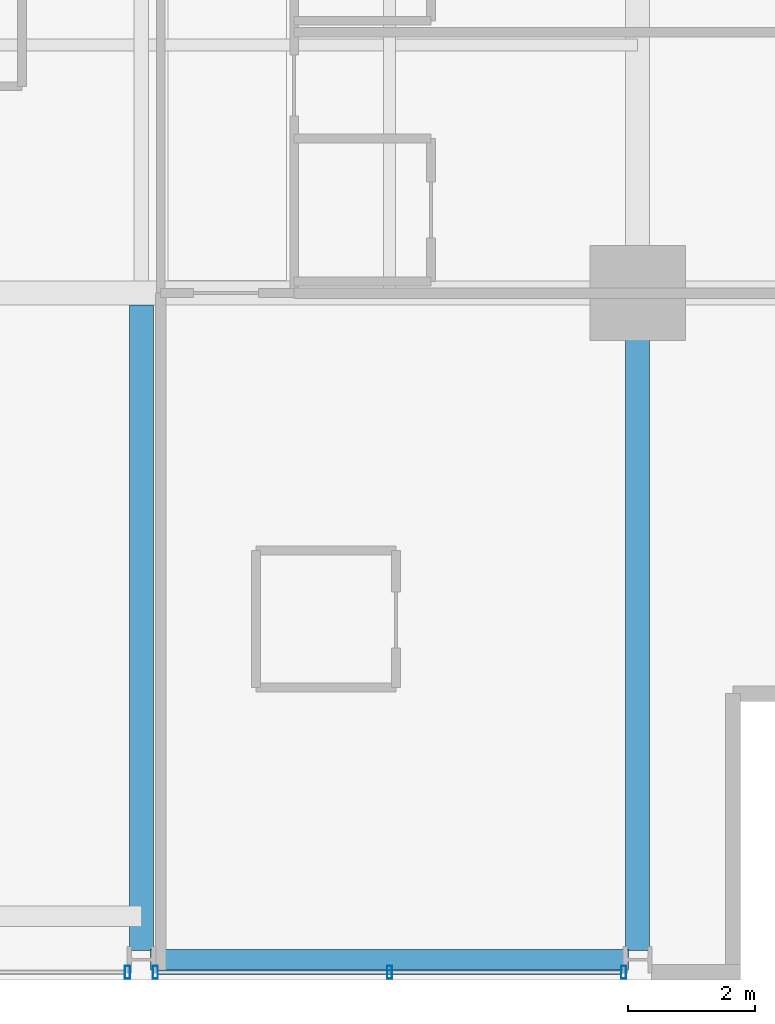
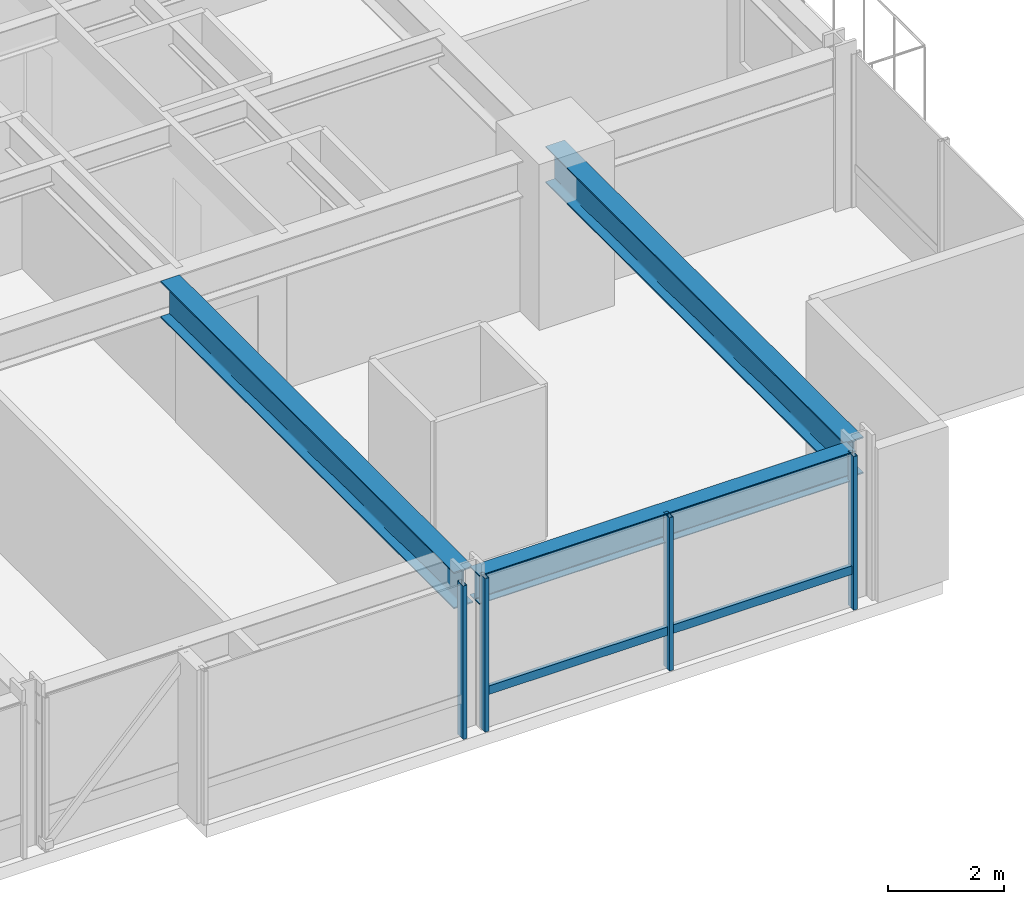
# One storey, part 11 of 35: 5 members, 3 beams, 2 elements without a shape of their own.
"""IFC4 building model written with IfcOpenShell, lengths in metres."""

from ifc_helpers import new_model, si_unit, direction, frame, origin, origin_2d, place, context, subcontext, project, spatial, hollow_rectangle, i_section, extrude, material, layer, layer_set, material_profile, profile_set, type_object, element, aggregate, save


model = new_model("IFC4")

# Units and contexts
model_context = context("Model", 3, precision=1e-05, world=origin(), true_north=direction((0.0, 1.0)))
body_context = subcontext(model_context, "Body", "Model", "MODEL_VIEW")
ifc_project = project(units=[si_unit("LENGTHUNIT", "METRE"), si_unit("AREAUNIT", "SQUARE_METRE"), si_unit("VOLUMEUNIT", "CUBIC_METRE"), si_unit("PLANEANGLEUNIT", "RADIAN"), si_unit("MASSUNIT", "GRAM", prefix="KILO")], contexts=[model_context])

# Site, building, storey
site_placement = place(None, origin())
site = spatial("IfcSite", under=ifc_project, at=site_placement, CompositionType="ELEMENT")
building_placement = place(site_placement, origin())
building = spatial("IfcBuilding", under=site, at=building_placement, Name="Drelvath Grand Hotel", CompositionType="ELEMENT")
storey_placement = place(building_placement, frame((0.0, 0.0, 95.300048828125)))
storey = spatial("IfcBuildingStorey", under=building, at=storey_placement, Name="L23", CompositionType="ELEMENT", Elevation=95.300048828125)

# Curtain wall, member
ifc_material_1 = material(Name="Champagne Bronze Anodised Aluminium Frame", Category="aluminium")
ifc_layer = layer(ifc_material_1, 0.199951171875)
ifc_layer_set = layer_set([ifc_layer], Name="Champagne Bronze Anodised Aluminium Frame")
curtain_wall_type = type_object("IfcCurtainWallType", Name="Stick Curtain Wall CW-03 Champagne Bronze Mid-Rise", PredefinedType="NOTDEFINED", material=ifc_layer_set)
curtain_wall_1_placement = place(storey_placement, origin())
curtain_wall_1 = element("IfcCurtainWall", 1, at=curtain_wall_1_placement, inside=storey, type_object=curtain_wall_type, Name="L23 CW-03 Curtain Wall CW03-L23-SE2", PredefinedType="NOTDEFINED")
ifc_material_profile_1 = material_profile(ifc_material_1, hollow_rectangle(XDim=0.074951171875, YDim=0.179931640625, WallThickness=0.0048828125, at=origin_2d()), Name="HSS180X75X5")
ifc_profile_set_1 = profile_set([ifc_material_profile_1], Name="Champagne Bronze Anodised Aluminium Frame")
member_type_1 = type_object("IfcMemberType", Name="Curtain Wall Horizontal Transom CW-03 HSS180X75X5", PredefinedType="USERDEFINED", material=ifc_profile_set_1)
member_1_placement = place(storey_placement, frame((15.9404296875, 0.1201171875, 0.81005859375), z_axis=(-1.0, 0.0, 0.0), x_axis=(0.0, -1.0, 0.0)))
member_1 = element("IfcMember", 2, at=member_1_placement, type_object=member_type_1, Name="CW03-L23-SE2 Sill Transom", ObjectType="TRANSOM", PredefinedType="USERDEFINED", context=body_context, shape_type="SweptSolid", body=[
    extrude(hollow_rectangle(XDim=0.074951171875, YDim=0.179931640625, WallThickness=0.0048828125, at=origin_2d()), origin(), (0.0, 0.0, 1.0), 7.28076171875),
])

curtain_wall_2_placement = place(storey_placement, origin())
curtain_wall_2 = element("IfcCurtainWall", 3, at=curtain_wall_2_placement, inside=storey, type_object=curtain_wall_type, Name="L23 CW-03 Curtain Wall CW03-L23-SE1", PredefinedType="NOTDEFINED")
ifc_material_profile_2 = material_profile(ifc_material_1, hollow_rectangle(XDim=0.080078125, YDim=0.199951171875, WallThickness=0.0048828125, at=origin_2d()), Name="HSS200X80X5")
ifc_profile_set_2 = profile_set([ifc_material_profile_2], Name="Champagne Bronze Anodised Aluminium Frame")
member_type_2 = type_object("IfcMemberType", Name="Curtain Wall Vertical Mullion CW-03 HSS200X80X5", PredefinedType="MULLION", material=ifc_profile_set_2)
member_2_placement = place(storey_placement, frame((8.180419921875, 0.1201171875, 0.0), z_axis=(0.0, 0.0, 1.0), x_axis=(1.0, 0.0, 0.0)))
member_2 = element("IfcMember", 4, at=member_2_placement, type_object=member_type_2, Name="CW03-L23-SE1 Mullion 1", PredefinedType="MULLION", context=body_context, shape_type="SweptSolid", body=[
    extrude(hollow_rectangle(XDim=0.080078125, YDim=0.199951171875, WallThickness=0.0048828125, at=origin_2d()), origin(), (0.0, 0.0, 1.0), 3.239990234375),
])
aggregate(curtain_wall_2, [member_2])

# Member
member_3_placement = place(storey_placement, frame((15.98046875, 0.1201171875, 0.0), z_axis=(0.0, 0.0, 1.0), x_axis=(1.0, 0.0, 0.0)))
member_3 = element("IfcMember", 5, at=member_3_placement, type_object=member_type_2, Name="CW03-L23-SE2 Mullion 1", PredefinedType="MULLION", context=body_context, shape_type="SweptSolid", body=[
    extrude(hollow_rectangle(XDim=0.080078125, YDim=0.199951171875, WallThickness=0.0048828125, at=origin_2d()), origin(), (0.0, 0.0, 1.0), 3.239990234375),
])

member_4_placement = place(storey_placement, frame((12.300048828125, 0.1201171875, 0.0), z_axis=(0.0, 0.0, 1.0), x_axis=(1.0, 0.0, 0.0)))
member_4 = element("IfcMember", 6, at=member_4_placement, type_object=member_type_2, Name="CW03-L23-SE2 Mullion 2", PredefinedType="MULLION", context=body_context, shape_type="SweptSolid", body=[
    extrude(hollow_rectangle(XDim=0.080078125, YDim=0.199951171875, WallThickness=0.0048828125, at=origin_2d()), origin(), (0.0, 0.0, 1.0), 3.239990234375),
])

member_5_placement = place(storey_placement, frame((8.61962890625, 0.1201171875, 0.0), z_axis=(0.0, 0.0, 1.0), x_axis=(1.0, 0.0, 0.0)))
member_5 = element("IfcMember", 7, at=member_5_placement, type_object=member_type_2, Name="CW03-L23-SE2 Mullion 3", PredefinedType="MULLION", context=body_context, shape_type="SweptSolid", body=[
    extrude(hollow_rectangle(XDim=0.080078125, YDim=0.199951171875, WallThickness=0.0048828125, at=origin_2d()), origin(), (0.0, 0.0, 1.0), 3.239990234375),
])

aggregate(curtain_wall_1, [member_3, member_4, member_5, member_1])

# Beams
ifc_material_2 = material(Name="Steel ASTM A992 Gr 50", Category="steel")
ifc_material_profile_3 = material_profile(ifc_material_2, i_section(OverallWidth=0.323974609375, OverallDepth=0.611083984375, WebThickness=0.0126953125, FlangeThickness=0.01904296875, FilletRadius=0.02197265625, at=origin_2d()), Name="W24X104")
ifc_profile_set_3 = profile_set([ifc_material_profile_3], Name="Steel ASTM A992 Gr 50")
beam_type_1 = type_object("IfcBeamType", Name="Perimeter Spandrel Beam W24X104", PredefinedType="SPANDREL", material=ifc_profile_set_3)
beam_1_placement = place(storey_placement, frame((8.5400390625, 0.320068359375, 2.9345703125), z_axis=(1.0, 0.0, 0.0), x_axis=(0.0, 1.0, 0.0)))
element("IfcBeam", 8, at=beam_1_placement, inside=storey, type_object=beam_type_1, Name="L23 Spandrel South E", PredefinedType="SPANDREL", context=body_context, shape_type="SweptSolid", body=[
    extrude(i_section(OverallWidth=0.323974609375, OverallDepth=0.611083984375, WebThickness=0.0126953125, FlangeThickness=0.01904296875, FilletRadius=0.02197265625, at=origin_2d()), origin(), (0.0, 0.0, 1.0), 7.52001953125),
])
ifc_material_profile_4 = material_profile(ifc_material_2, i_section(OverallWidth=0.380615234375, OverallDepth=0.773193359375, WebThickness=0.0166015625, FlangeThickness=0.027099609375, FilletRadius=0.02490234375, at=origin_2d()), Name="W30X173")
ifc_profile_set_4 = profile_set([ifc_material_profile_4], Name="Steel ASTM A992 Gr 50")
beam_type_2 = type_object("IfcBeamType", Name="Primary Floor Girder W30X173", PredefinedType="BEAM", material=ifc_profile_set_4)
beam_2_placement = place(storey_placement, frame((16.199951171875, 0.4599609375, 2.853271484375), z_axis=(0.0, 1.0, 0.0), x_axis=(-1.0, 0.0, 0.0)))
element("IfcBeam", 9, at=beam_2_placement, inside=storey, type_object=beam_type_2, Name="L23 South Grid Girder 7", PredefinedType="BEAM", context=body_context, shape_type="SweptSolid", body=[
    extrude(i_section(OverallWidth=0.380615234375, OverallDepth=0.773193359375, WebThickness=0.0166015625, FlangeThickness=0.027099609375, FilletRadius=0.02490234375, at=origin_2d()), origin(), (0.0, 0.0, 1.0), 10.340087890625),
])
beam_3_placement = place(storey_placement, frame((8.39990234375, 0.4599609375, 2.853271484375), z_axis=(0.0, 1.0, 0.0), x_axis=(-1.0, 0.0, 0.0)))
element("IfcBeam", 10, at=beam_3_placement, inside=storey, type_object=beam_type_2, Name="L23 South Wing Girder 6", PredefinedType="BEAM", context=body_context, shape_type="SweptSolid", body=[
    extrude(i_section(OverallWidth=0.380615234375, OverallDepth=0.773193359375, WebThickness=0.0166015625, FlangeThickness=0.027099609375, FilletRadius=0.02490234375, at=origin_2d()), origin(), (0.0, 0.0, 1.0), 10.149658203125),
])

save(model, "model.ifc")
